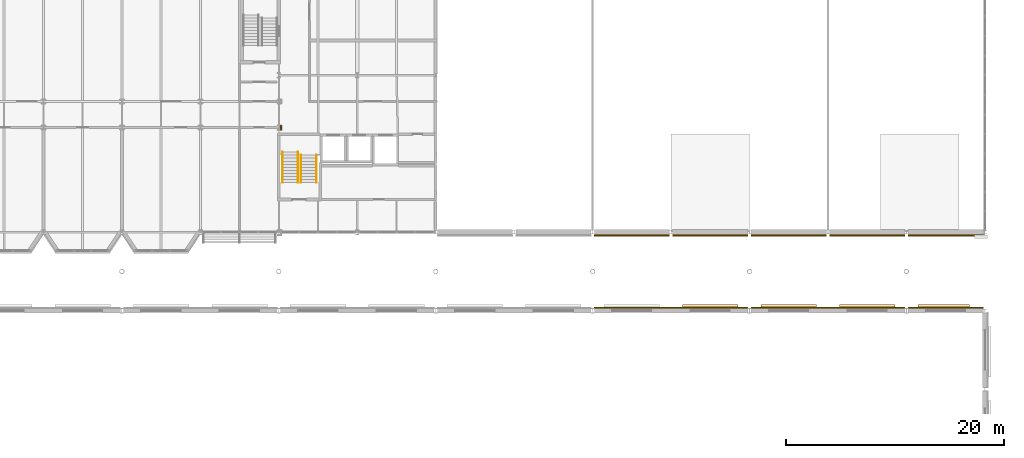
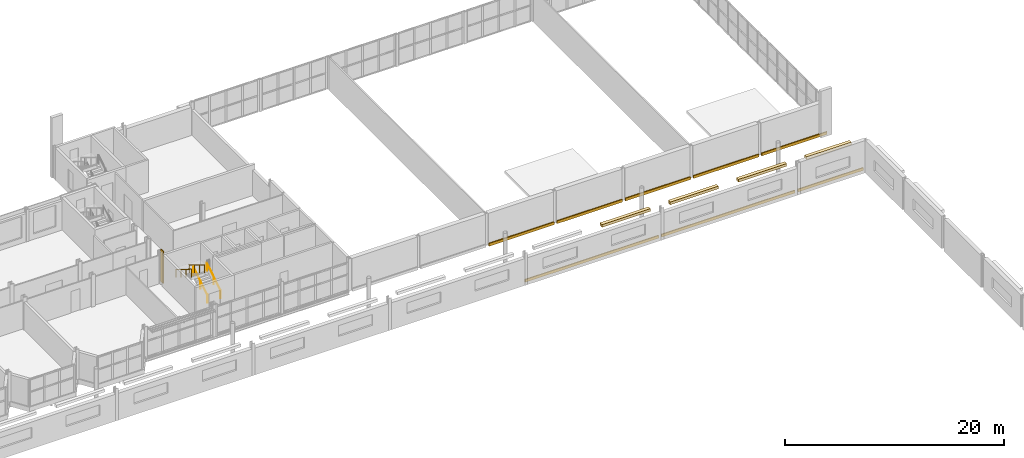
# One storey, part 118 of 124: 13 coverings, 4 railings.
"""IFC4 building model written with IfcOpenShell, lengths in metres."""

from ifc_helpers import new_model, si_unit, direction, frame, origin, origin_2d, place, context, subcontext, project, spatial, rectangle, circle, extrude, material, layer, layer_set, type_object, element, save


model = new_model("IFC4")

# Units and contexts
model_context = context("Model", 3, precision=1e-05, world=origin(), true_north=direction((0.0, 1.0)))
body_context = subcontext(model_context, "Body", "Model", "MODEL_VIEW")
ifc_project = project(units=[si_unit("LENGTHUNIT", "METRE"), si_unit("AREAUNIT", "SQUARE_METRE"), si_unit("VOLUMEUNIT", "CUBIC_METRE"), si_unit("PLANEANGLEUNIT", "RADIAN"), si_unit("MASSUNIT", "GRAM", prefix="KILO")], contexts=[model_context])

# Site, building, storey
site_placement = place(None, origin())
site = spatial("IfcSite", under=ifc_project, at=site_placement, CompositionType="ELEMENT")
building_placement = place(site_placement, origin())
building = spatial("IfcBuilding", under=site, at=building_placement, Name="Kupolbacken Congress Centre", CompositionType="ELEMENT")
storey_placement = place(building_placement, frame((0.0, 0.0, 10.800048828125)))
storey = spatial("IfcBuildingStorey", under=building, at=storey_placement, Name="L03", CompositionType="ELEMENT", Elevation=10.800048828125)

# Coverings
ifc_material_1 = material(Name="Limestone cladding", Category="masonry")
ifc_layer_1 = layer(ifc_material_1, 0.1201171875)
ifc_layer_set_1 = layer_set([ifc_layer_1], Name="Limestone cladding")
covering_type_1 = type_object("IfcCoveringType", Name="CV1 limestone cladding band 120", PredefinedType="CLADDING", material=ifc_layer_set_1)
for number, where, z_axis, x_axis, name in (
    (1, (169.199951171875, 122.10009765625, 0.0), (0.0, 0.0, 1.0), (1.0, 0.0, 0.0), "E/B/S/L03/310/band"),
    (2, (176.39990234375, 122.10009765625, 0.0), (0.0, 0.0, 1.0), (1.0, 0.0, 0.0), "E/B/S/L03/311/band"),
    (3, (183.60009765625, 122.10009765625, 0.0), (0.0, 0.0, 1.0), (1.0, 0.0, 0.0), "E/B/S/L03/312/band"),
    (4, (190.800048828125, 122.10009765625, 0.0), (0.0, 0.0, 1.0), (1.0, 0.0, 0.0), "E/B/S/L03/313/band"),
    (5, (198.0, 122.10009765625, 0.0), (0.0, 0.0, 1.0), (1.0, 0.0, 0.0), "E/B/S/L03/314/band"),
):
    element("IfcCovering", number, at=place(storey_placement, frame(where, z_axis=z_axis, x_axis=x_axis)), inside=storey, type_object=covering_type_1, Name=name, PredefinedType="CLADDING", context=body_context, shape_type="SweptSolid", body=[
        extrude(rectangle(XDim=6.89990234375, YDim=0.1201171875, at=origin_2d()), origin(), (0.0, 0.0, 1.0), 0.300048828125),
    ])
covering_1_placement = place(storey_placement, frame((137.0, 132.0, 0.0), z_axis=(0.0, 0.0, 1.0), x_axis=(1.0, 0.0, 0.0)))
element("IfcCovering", 6, at=covering_1_placement, inside=storey, type_object=covering_type_1, Name="E/T/pilaster/L03/C-T-20U+2400/E", PredefinedType="CLADDING", context=body_context, shape_type="SweptSolid", body=[
    extrude(rectangle(XDim=0.10009765625, YDim=0.449951171875, at=origin_2d()), origin(), (0.0, 0.0, 1.0), 3.60009765625),
])
ifc_material_2 = material(Name="Brick cladding", Category="masonry")
ifc_layer_2 = layer(ifc_material_2, 0.10791015625)
ifc_layer_set_2 = layer_set([ifc_layer_2], Name="Brick cladding")
covering_type_2 = type_object("IfcCoveringType", Name="CV2 brick cladding band 108", PredefinedType="CLADDING", material=ifc_layer_set_2)
covering_2_placement = place(storey_placement, frame((198.0, 115.464111328125, 0.0), z_axis=(0.0, 0.0, 1.0), x_axis=(-1.0, 0.0, 0.0)))
element("IfcCovering", 7, at=covering_2_placement, inside=storey, type_object=covering_type_2, Name="E/H/N/L03/353/band", PredefinedType="CLADDING", context=body_context, shape_type="SweptSolid", body=[
    extrude(rectangle(XDim=6.89990234375, YDim=0.10791015625, at=origin_2d()), origin(), (0.0, 0.0, 1.0), 0.300048828125),
])
for number, where, z_axis, x_axis, name in (
    (8, (187.199951171875, 115.464111328125, 0.0), (0.0, 0.0, 1.0), (-1.0, 0.0, 0.0), "E/H/N/L03/354/band"),
    (9, (172.800048828125, 115.464111328125, 0.0), (0.0, 0.0, 1.0), (-1.0, 0.0, 0.0), "E/H/N/L03/355/band"),
):
    element("IfcCovering", number, at=place(storey_placement, frame(where, z_axis=z_axis, x_axis=x_axis)), inside=storey, type_object=covering_type_2, Name=name, PredefinedType="CLADDING", context=body_context, shape_type="SweptSolid", body=[
        extrude(rectangle(XDim=14.10009765625, YDim=0.10791015625, at=origin_2d()), origin(), (0.0, 0.0, 1.0), 0.300048828125),
    ])
ifc_material_3 = material(Name="Limestone cladding", Category="masonry")
ifc_layer_3 = layer(ifc_material_3, 0.35009765625)
ifc_layer_set_3 = layer_set([ifc_layer_3], Name="Limestone cladding")
covering_type_3 = type_object("IfcCoveringType", Name="CV3 limestone pilaster strip 350", PredefinedType="CLADDING", material=ifc_layer_set_3)
for number, where, z_axis, x_axis, name in (
    (10, (176.39990234375, 115.5849609375, 3.2998046875), (0.0, 0.0, 1.0), (1.0, 0.0, 0.0), "F/HR/H/N/string/14.4/12/1"),
    (11, (183.60009765625, 115.5849609375, 3.2998046875), (0.0, 0.0, 1.0), (1.0, 0.0, 0.0), "F/HR/H/N/string/14.4/13/1"),
    (12, (190.800048828125, 115.5849609375, 3.2998046875), (0.0, 0.0, 1.0), (1.0, 0.0, 0.0), "F/HR/H/N/string/14.4/14/1"),
):
    element("IfcCovering", number, at=place(storey_placement, frame(where, z_axis=z_axis, x_axis=x_axis)), inside=storey, type_object=covering_type_3, Name=name, PredefinedType="CLADDING", context=body_context, shape_type="SweptSolid", body=[
        extrude(rectangle(XDim=5.10009765625, YDim=0.35009765625, at=origin_2d()), origin(), (0.0, 0.0, 1.0), 0.300048828125),
    ])
covering_3_placement = place(storey_placement, frame((197.81005859375, 115.5849609375, 3.2998046875), z_axis=(0.0, 0.0, 1.0), x_axis=(1.0, 0.0, 0.0)))
element("IfcCovering", 13, at=covering_3_placement, inside=storey, type_object=covering_type_3, Name="F/HR/H/N/string/14.4/15/1", PredefinedType="CLADDING", context=body_context, shape_type="SweptSolid", body=[
    extrude(rectangle(XDim=4.719970703125, YDim=0.35009765625, at=origin_2d()), origin(), (0.0, 0.0, 1.0), 0.300048828125),
])

# Railings
ifc_material_4 = material(Name="Steel S235", Category="steel")
railing_type = type_object("IfcRailingType", Name="RL3 handrail wall-mounted 900", PredefinedType="HANDRAIL", material=ifc_material_4)
for number, where, name in (
    (14, (138.85009765625, 126.955078125, 0.17138671875), "C/stair/BS1/L03/HR1L"),
    (15, (140.25, 126.955078125, 0.17138671875), "C/stair/BS1/L03/HR1R"),
):
    element("IfcRailing", number, at=place(storey_placement, frame(where)), inside=storey, type_object=railing_type, Name=name, PredefinedType="HANDRAIL", context=body_context, shape_type="SweptSolid", body=[
        extrude(circle(Radius=0.02392578125, at=origin_2d()), frame((0.0, 0.0, 0.8759765625), z_axis=(0.0, 0.852836285881, 0.522178388565), x_axis=(-1.0, 0.0, 0.0)), (0.0, 0.0, 1.0), 2.954833984375),
        extrude(circle(Radius=0.02099609375, at=origin_2d()), origin(), (0.0, 0.0, 1.0), 0.851806640625),
        extrude(circle(Radius=0.02099609375, at=origin_2d()), frame((0.0, 1.260009765625, 0.771484375)), (0.0, 0.0, 1.0), 0.851806640625),
        extrude(circle(Radius=0.02099609375, at=origin_2d()), frame((0.0, 2.52001953125, 1.54296875)), (0.0, 0.0, 1.0), 0.851806640625),
    ])
for number, where, name in (
    (16, (138.550048828125, 129.7548828125, 1.8857421875), "C/stair/BS1/L03/HR2L"),
    (17, (137.14990234375, 129.7548828125, 1.8857421875), "C/stair/BS1/L03/HR2R"),
):
    element("IfcRailing", number, at=place(storey_placement, frame(where)), inside=storey, type_object=railing_type, Name=name, PredefinedType="HANDRAIL", context=body_context, shape_type="SweptSolid", body=[
        extrude(circle(Radius=0.02392578125, at=origin_2d()), frame((0.0, 0.0, 0.8759765625), z_axis=(0.0, -0.852858738594, 0.522141716399), x_axis=(1.0, 0.0, 0.0)), (0.0, 0.0, 1.0), 3.282958984375),
        extrude(circle(Radius=0.02099609375, at=origin_2d()), origin(), (0.0, 0.0, 1.0), 0.851806640625),
        extrude(circle(Radius=0.02099609375, at=origin_2d()), frame((0.0, -0.933349609375, 0.5712890625)), (0.0, 0.0, 1.0), 0.851806640625),
        extrude(circle(Radius=0.02099609375, at=origin_2d()), frame((0.0, -1.866455078125, 1.142822265625)), (0.0, 0.0, 1.0), 0.851806640625),
        extrude(circle(Radius=0.02099609375, at=origin_2d()), frame((0.0, -2.7998046875, 1.714111328125)), (0.0, 0.0, 1.0), 0.851806640625),
    ])

save(model, "model.ifc")
